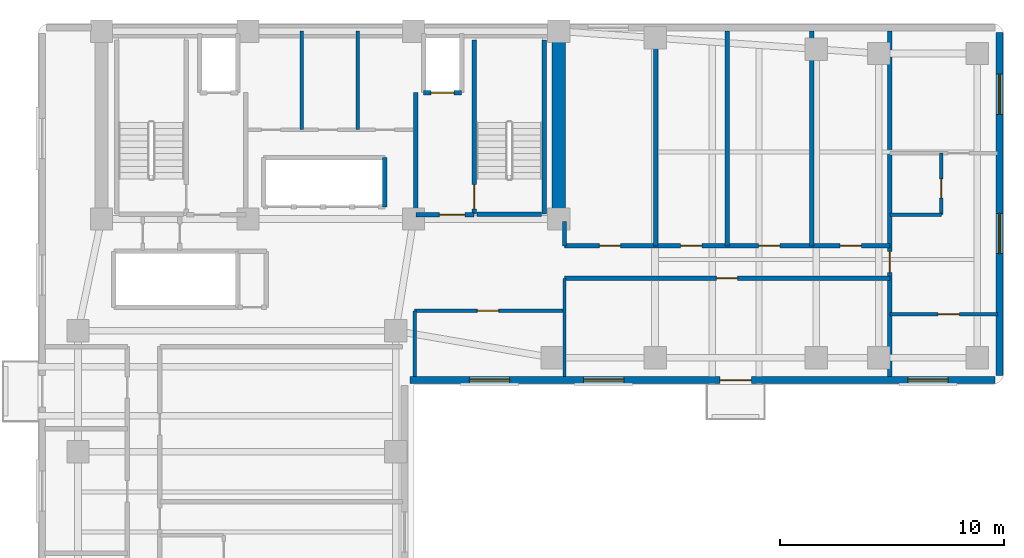
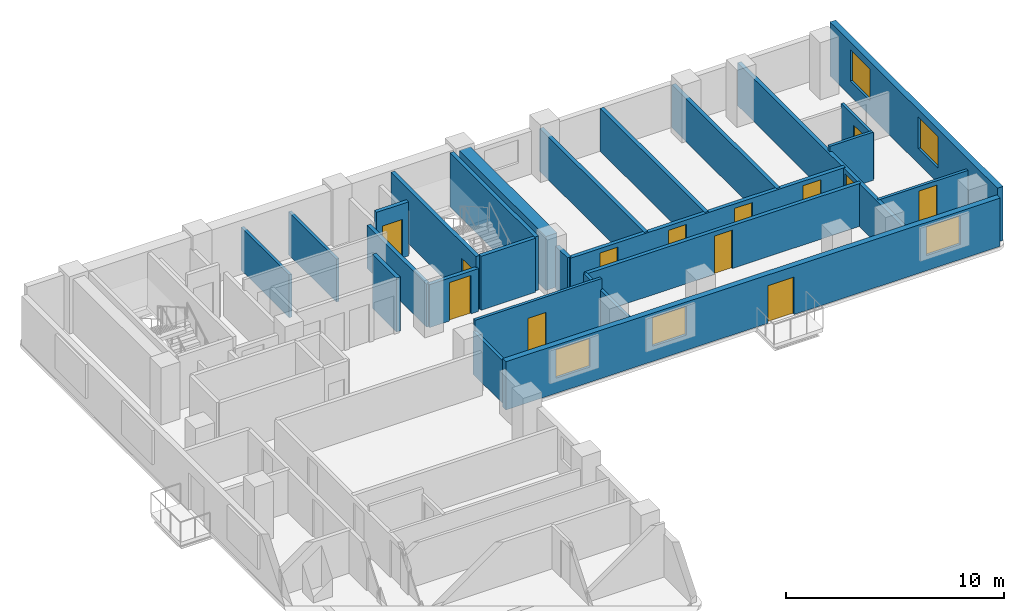
# One storey, part 4 of 7: 25 walls, 13 doors, 5 windows, 18 openings.
"""IFC4 building model written with IfcOpenShell, lengths in metres."""

from ifc_helpers import new_model, si_unit, direction, frame, frame_2d, origin, place, context, subcontext, project, spatial, rectangle, extrude, material, layer, layer_set, type_object, element, fill, save


model = new_model("IFC4")

# Units and contexts
model_context = context("Model", 3, precision=1e-05, world=origin(), true_north=direction((0.0, 1.0)))
body_context = subcontext(model_context, "Body", "Model", "MODEL_VIEW")
ifc_project = project(units=[si_unit("LENGTHUNIT", "METRE"), si_unit("AREAUNIT", "SQUARE_METRE"), si_unit("VOLUMEUNIT", "CUBIC_METRE"), si_unit("PLANEANGLEUNIT", "RADIAN"), si_unit("MASSUNIT", "GRAM", prefix="KILO")], contexts=[model_context])

# Site, building, storey
site_placement = place(None, origin())
site = spatial("IfcSite", under=ifc_project, at=site_placement, CompositionType="ELEMENT")
building_placement = place(site_placement, origin())
building = spatial("IfcBuilding", under=site, at=building_placement, Name="Kuzgunbayir Cultural Tower", CompositionType="ELEMENT")
storey_placement = place(building_placement, frame((0.0, 0.0, 113.800048828125)))
storey = spatial("IfcBuildingStorey", under=building, at=storey_placement, Name="L32", CompositionType="ELEMENT", Elevation=113.800048828125)

# Wall
ifc_material_1 = material(Name="Concrete C60/75", Category="concrete")
ifc_layer_1 = layer(ifc_material_1, 0.60009765625)
ifc_layer_set_1 = layer_set([ifc_layer_1], Name="Concrete C60/75")
wall_type_1 = type_object("IfcWallType", Name="WAL-CORE-600", PredefinedType="SHEAR", material=ifc_layer_set_1)
wall_1_placement = place(storey_placement, frame((26.89990234375, 33.800048828125, 0.0), z_axis=(0.0, 0.0, 1.0), x_axis=(0.0, 1.0, 0.0)))
element("IfcWall", 1, at=wall_1_placement, inside=storey, type_object=wall_type_1, Name="L32 T1 Core East Shear Wall", PredefinedType="SHEAR", context=body_context, shape_type="SweptSolid", body=[
    extrude(rectangle(XDim=7.949951171875, YDim=0.60009765625, at=frame_2d((3.97509765625, 0.0))), origin(), (0.0, 0.0, 1.0), 3.02001953125),
])

# Wall, openings, door, windows
ifc_material_2 = material(Name="Anatolian Cream Limestone", Category="masonry")
ifc_layer_2 = layer(ifc_material_2, 0.300048828125)
ifc_layer_set_2 = layer_set([ifc_layer_2], Name="Anatolian Cream Limestone")
wall_type_2 = type_object("IfcWallType", Name="WAL-EXT-STONE-300", PredefinedType="STANDARD", material=ifc_layer_set_2)
wall_2_placement = place(storey_placement, frame((20.25, 26.60009765625, 0.0), z_axis=(0.0, 0.0, 1.0), x_axis=(1.0, 0.0, 0.0)))
wall_2 = element("IfcWall", 2, at=wall_2_placement, inside=storey, type_object=wall_type_2, Name="L32 Wing B South Limestone Wall", PredefinedType="STANDARD", context=body_context, shape_type="SweptSolid", body=[
    extrude(rectangle(XDim=26.14990234375, YDim=0.300048828125, at=frame_2d((13.074951171875, 0.0))), origin(), (0.0, 0.0, 1.0), 2.699951171875),
])
opening_1_placement = place(wall_2_placement, frame((13.85009765625, 0.0, 0.0)))
opening_1 = element("IfcOpeningElement", 3, at=opening_1_placement, cuts=wall_2, Name="Opening BD-15", PredefinedType="OPENING", context=body_context, shape_type="SweptSolid", body=[
    extrude(rectangle(XDim=1.39990234375, YDim=2.10009765625, at=frame_2d((0.699951171875, 1.050048828125))), frame((0.0, 0.16015625, 0.0), z_axis=(0.0, -1.0, 0.0), x_axis=(1.0, 0.0, 0.0)), (0.0, 0.0, 1.0), 0.320068359375),
])
opening_2_placement = place(wall_2_placement, frame((2.64990234375, 0.0, 0.85009765625)))
opening_2 = element("IfcOpeningElement", 4, at=opening_2_placement, cuts=wall_2, Name="Opening WH-18", PredefinedType="OPENING", context=body_context, shape_type="SweptSolid", body=[
    extrude(rectangle(XDim=1.800048828125, YDim=1.60009765625, at=frame_2d((0.89990234375, 0.800048828125))), frame((0.0, 0.16015625, 0.0), z_axis=(0.0, -1.0, 0.0), x_axis=(1.0, 0.0, 0.0)), (0.0, 0.0, 1.0), 0.320068359375),
])
opening_3_placement = place(wall_2_placement, frame((7.75, 0.0, 0.85009765625)))
opening_3 = element("IfcOpeningElement", 5, at=opening_3_placement, cuts=wall_2, Name="Opening WH-18", PredefinedType="OPENING", context=body_context, shape_type="SweptSolid", body=[
    extrude(rectangle(XDim=1.800048828125, YDim=1.60009765625, at=frame_2d((0.89990234375, 0.800048828125))), frame((0.0, 0.16015625, 0.0), z_axis=(0.0, -1.0, 0.0), x_axis=(1.0, 0.0, 0.0)), (0.0, 0.0, 1.0), 0.320068359375),
])
opening_4_placement = place(wall_2_placement, frame((22.25, 0.0, 0.85009765625)))
opening_4 = element("IfcOpeningElement", 6, at=opening_4_placement, cuts=wall_2, Name="Opening WH-18", PredefinedType="OPENING", context=body_context, shape_type="SweptSolid", body=[
    extrude(rectangle(XDim=1.800048828125, YDim=1.60009765625, at=frame_2d((0.89990234375, 0.800048828125))), frame((0.0, 0.16015625, 0.0), z_axis=(0.0, -1.0, 0.0), x_axis=(1.0, 0.0, 0.0)), (0.0, 0.0, 1.0), 0.320068359375),
])
ifc_material_3 = material(Name="Thermally Broken Glazed Aluminium", Category="aluminium")
door_type_1 = type_object("IfcDoorType", Name="DR-BALCONY-150", OperationType="SLIDING_TO_RIGHT", PredefinedType="DOOR", material=ifc_material_3)
door_1_placement = place(opening_1_placement, origin())
door_1 = element("IfcDoor", 7, at=door_1_placement, inside=storey, type_object=door_type_1, Name="L32 South Balcony Sliding Door BAL-L32-WB2", OperationType="SLIDING_TO_RIGHT", OverallHeight=2.10009765625, OverallWidth=1.39990234375, PredefinedType="DOOR", context=body_context, shape_type="SweptSolid", body=[
    extrude(rectangle(XDim=1.39990234375, YDim=2.10009765625, at=frame_2d((0.699951171875, 1.050048828125))), frame((0.0, 0.02490234375, 0.0), z_axis=(0.0, -1.0, 0.0), x_axis=(1.0, 0.0, 0.0)), (0.0, 0.0, 1.0), 0.050048828125),
])
fill(opening_1, door_1)
ifc_material_4 = material(Name="Solar-Control Triple Glazing", Category="glass")
window_type = type_object("IfcWindowType", Name="WIN-HOTEL-18", PartitioningType="SINGLE_PANEL", PredefinedType="WINDOW", material=ifc_material_4)
window_1_placement = place(opening_2_placement, origin())
window_1 = element("IfcWindow", 8, at=window_1_placement, inside=storey, type_object=window_type, Name="L32 WBS Facade Window 1", OverallHeight=1.60009765625, OverallWidth=1.800048828125, PartitioningType="SINGLE_PANEL", PredefinedType="WINDOW", context=body_context, shape_type="SweptSolid", body=[
    extrude(rectangle(XDim=1.800048828125, YDim=1.60009765625, at=frame_2d((0.89990234375, 0.800048828125))), frame((0.0, 0.030029296875, 0.0), z_axis=(0.0, -1.0, 0.0), x_axis=(1.0, 0.0, 0.0)), (0.0, 0.0, 1.0), 0.06005859375),
])
fill(opening_2, window_1)
window_2_placement = place(opening_3_placement, origin())
window_2 = element("IfcWindow", 9, at=window_2_placement, inside=storey, type_object=window_type, Name="L32 WBS Facade Window 13", OverallHeight=1.60009765625, OverallWidth=1.800048828125, PartitioningType="SINGLE_PANEL", PredefinedType="WINDOW", context=body_context, shape_type="SweptSolid", body=[
    extrude(rectangle(XDim=1.800048828125, YDim=1.60009765625, at=frame_2d((0.89990234375, 0.800048828125))), frame((0.0, 0.030029296875, 0.0), z_axis=(0.0, -1.0, 0.0), x_axis=(1.0, 0.0, 0.0)), (0.0, 0.0, 1.0), 0.06005859375),
])
fill(opening_3, window_2)
window_3_placement = place(opening_4_placement, origin())
window_3 = element("IfcWindow", 10, at=window_3_placement, inside=storey, type_object=window_type, Name="L32 WBS Facade Window 14", OverallHeight=1.60009765625, OverallWidth=1.800048828125, PartitioningType="SINGLE_PANEL", PredefinedType="WINDOW", context=body_context, shape_type="SweptSolid", body=[
    extrude(rectangle(XDim=1.800048828125, YDim=1.60009765625, at=frame_2d((0.89990234375, 0.800048828125))), frame((0.0, 0.030029296875, 0.0), z_axis=(0.0, -1.0, 0.0), x_axis=(1.0, 0.0, 0.0)), (0.0, 0.0, 1.0), 0.06005859375),
])
fill(opening_4, window_3)

# Wall, openings, windows
wall_3_placement = place(storey_placement, frame((46.60009765625, 26.800048828125, 0.0), z_axis=(0.0, 0.0, 1.0), x_axis=(0.0, 1.0, 0.0)))
wall_3 = element("IfcWall", 11, at=wall_3_placement, inside=storey, type_object=wall_type_2, Name="L32 Wing B East Limestone Wall", PredefinedType="STANDARD", context=body_context, shape_type="SweptSolid", body=[
    extrude(rectangle(XDim=15.349853515625, YDim=0.300048828125, at=frame_2d((7.6748046875, 0.0))), origin(), (0.0, 0.0, 1.0), 3.02001953125),
])
opening_5_placement = place(wall_3_placement, frame((5.449951171875, 0.0, 0.85009765625)))
opening_5 = element("IfcOpeningElement", 12, at=opening_5_placement, cuts=wall_3, Name="Opening WH-18", PredefinedType="OPENING", context=body_context, shape_type="SweptSolid", body=[
    extrude(rectangle(XDim=1.800048828125, YDim=1.75, at=frame_2d((0.89990234375, 0.875))), frame((0.0, 0.16015625, 0.0), z_axis=(0.0, -1.0, 0.0), x_axis=(1.0, 0.0, 0.0)), (0.0, 0.0, 1.0), 0.320068359375),
])
opening_6_placement = place(wall_3_placement, frame((11.679931640625, 0.0, 0.85009765625)))
opening_6 = element("IfcOpeningElement", 13, at=opening_6_placement, cuts=wall_3, Name="Opening WH-18", PredefinedType="OPENING", context=body_context, shape_type="SweptSolid", body=[
    extrude(rectangle(XDim=1.800048828125, YDim=1.75, at=frame_2d((0.89990234375, 0.875))), frame((0.0, 0.16015625, 0.0), z_axis=(0.0, -1.0, 0.0), x_axis=(1.0, 0.0, 0.0)), (0.0, 0.0, 1.0), 0.320068359375),
])
window_4_placement = place(opening_5_placement, origin())
window_4 = element("IfcWindow", 14, at=window_4_placement, inside=storey, type_object=window_type, Name="L32 WBE Facade Window 6", OverallHeight=1.75, OverallWidth=1.800048828125, PartitioningType="SINGLE_PANEL", PredefinedType="WINDOW", context=body_context, shape_type="SweptSolid", body=[
    extrude(rectangle(XDim=1.800048828125, YDim=1.75, at=frame_2d((0.89990234375, 0.875))), frame((0.0, 0.030029296875, 0.0), z_axis=(0.0, -1.0, 0.0), x_axis=(1.0, 0.0, 0.0)), (0.0, 0.0, 1.0), 0.06005859375),
])
fill(opening_5, window_4)
window_5_placement = place(opening_6_placement, origin())
window_5 = element("IfcWindow", 15, at=window_5_placement, inside=storey, type_object=window_type, Name="L32 WBE Facade Window 7", OverallHeight=1.75, OverallWidth=1.800048828125, PartitioningType="SINGLE_PANEL", PredefinedType="WINDOW", context=body_context, shape_type="SweptSolid", body=[
    extrude(rectangle(XDim=1.800048828125, YDim=1.75, at=frame_2d((0.89990234375, 0.875))), frame((0.0, 0.030029296875, 0.0), z_axis=(0.0, -1.0, 0.0), x_axis=(1.0, 0.0, 0.0)), (0.0, 0.0, 1.0), 0.06005859375),
])
fill(opening_6, window_5)

# Walls
ifc_material_5 = material(Name="Acoustic Double-Stud Drywall", Category="gypsum")
ifc_layer_3 = layer(ifc_material_5, 0.14990234375)
ifc_layer_set_3 = layer_set([ifc_layer_3], Name="Acoustic Double-Stud Drywall")
wall_type_3 = type_object("IfcWallType", Name="WAL-PART-ACOUSTIC-150", PredefinedType="PARTITIONING", material=ifc_layer_set_3)
for number, where, z_axis, x_axis, name in (
    (16, (15.39990234375, 37.800048828125, 0.0), (0.0, 0.0, 1.0), (0.0, 1.0, 0.0), "L32 Core Pod Partition 1"),
    (17, (17.89990234375, 37.800048828125, 0.0), (0.0, 0.0, 1.0), (0.0, 1.0, 0.0), "L32 Core Pod Partition 2"),
):
    element("IfcWall", number, at=place(storey_placement, frame(where, z_axis=z_axis, x_axis=x_axis)), inside=storey, type_object=wall_type_3, Name=name, PredefinedType="PARTITIONING", context=body_context, shape_type="SweptSolid", body=[
        extrude(rectangle(XDim=4.39990234375, YDim=0.14990234375, at=frame_2d((2.199951171875, 0.0))), origin(), (0.0, 0.0, 1.0), 2.39990234375),
    ])

# Wall, opening, door
wall_4_placement = place(storey_placement, frame((20.449951171875, 29.699951171875, 0.0), z_axis=(0.0, 0.0, 1.0), x_axis=(1.0, 0.0, 0.0)))
wall_4 = element("IfcWall", 18, at=wall_4_placement, inside=storey, type_object=wall_type_3, Name="L32 Waist Alcove North Wall", PredefinedType="PARTITIONING", context=body_context, shape_type="SweptSolid", body=[
    extrude(rectangle(XDim=6.699951171875, YDim=0.14990234375, at=frame_2d((3.35009765625, 0.0))), origin(), (0.0, 0.0, 1.0), 3.02001953125),
])
opening_7_placement = place(wall_4_placement, frame((2.800048828125, 0.0, 0.0)))
opening_7 = element("IfcOpeningElement", 19, at=opening_7_placement, cuts=wall_4, Name="Opening DI-90", PredefinedType="OPENING", context=body_context, shape_type="SweptSolid", body=[
    extrude(rectangle(XDim=0.949951171875, YDim=2.14990234375, at=frame_2d((0.47509765625, 1.074951171875))), frame((0.0, 0.0849609375, 0.0), z_axis=(0.0, -1.0, 0.0), x_axis=(1.0, 0.0, 0.0)), (0.0, 0.0, 1.0), 0.169921875),
])
ifc_material_6 = material(Name="Veneered Oak Single Leaf", Category="wood")
door_type_2 = type_object("IfcDoorType", Name="DR-INT-90", OperationType="NOTDEFINED", PredefinedType="DOOR", material=ifc_material_6)
door_2_placement = place(opening_7_placement, origin())
door_2 = element("IfcDoor", 20, at=door_2_placement, inside=storey, type_object=door_type_2, Name="L32 Waist Alcove Door", OperationType="SINGLE_SWING_RIGHT", OverallHeight=2.14990234375, OverallWidth=0.949951171875, PredefinedType="DOOR", context=body_context, shape_type="SweptSolid", body=[
    extrude(rectangle(XDim=0.949951171875, YDim=2.14990234375, at=frame_2d((0.47509765625, 1.074951171875))), frame((0.0, 0.02490234375, 0.0), z_axis=(0.0, -1.0, 0.0), x_axis=(1.0, 0.0, 0.0)), (0.0, 0.0, 1.0), 0.050048828125),
])
fill(opening_7, door_2)

# Walls
wall_5_placement = place(storey_placement, frame((20.449951171875, 26.75, 0.0), z_axis=(0.0, 0.0, 1.0), x_axis=(0.0, 1.0, 0.0)))
element("IfcWall", 21, at=wall_5_placement, inside=storey, type_object=wall_type_3, Name="L32 Waist Alcove West Wall", PredefinedType="PARTITIONING", context=body_context, shape_type="SweptSolid", body=[
    extrude(rectangle(XDim=2.949951171875, YDim=0.14990234375, at=frame_2d((1.47509765625, 0.0))), origin(), (0.0, 0.0, 1.0), 2.39990234375),
])
wall_6_placement = place(storey_placement, frame((27.14990234375, 26.75, 0.0), z_axis=(0.0, 0.0, 1.0), x_axis=(0.0, 1.0, 0.0)))
element("IfcWall", 22, at=wall_6_placement, inside=storey, type_object=wall_type_3, Name="L32 Waist Alcove East Wall", PredefinedType="PARTITIONING", context=body_context, shape_type="SweptSolid", body=[
    extrude(rectangle(XDim=4.39990234375, YDim=0.14990234375, at=frame_2d((2.199951171875, 0.0))), origin(), (0.0, 0.0, 1.0), 2.39990234375),
])
ifc_material_7 = material(Name="Aerated Concrete Blockwork", Category="masonry")
ifc_layer_4 = layer(ifc_material_7, 0.199951171875)
ifc_layer_set_4 = layer_set([ifc_layer_4], Name="Aerated Concrete Blockwork")
wall_type_4 = type_object("IfcWallType", Name="WAL-PART-FIRE-200", PredefinedType="PARTITIONING", material=ifc_layer_set_4)
wall_7_placement = place(storey_placement, frame((20.5, 34.0, 0.0), z_axis=(0.0, 0.0, 1.0), x_axis=(0.0, 1.0, 0.0)))
element("IfcWall", 23, at=wall_7_placement, inside=storey, type_object=wall_type_4, Name="L32 FFL-2 Lobby West Fire Wall", PredefinedType="PARTITIONING", context=body_context, shape_type="SweptSolid", body=[
    extrude(rectangle(XDim=5.449951171875, YDim=0.199951171875, at=frame_2d((2.72509765625, 0.0))), origin(), (0.0, 0.0, 1.0), 2.39990234375),
])

# Wall, opening, door
wall_8_placement = place(storey_placement, frame((20.5, 34.0, 0.0), z_axis=(0.0, 0.0, 1.0), x_axis=(1.0, 0.0, 0.0)))
wall_8 = element("IfcWall", 24, at=wall_8_placement, inside=storey, type_object=wall_type_4, Name="L32 FFL-2 Lobby South Fire Wall", PredefinedType="PARTITIONING", context=body_context, shape_type="SweptSolid", body=[
    extrude(rectangle(XDim=2.60009765625, YDim=0.199951171875, at=frame_2d((1.300048828125, 0.0))), origin(), (0.0, 0.0, 1.0), 2.39990234375),
])
opening_8_placement = place(wall_8_placement, frame((1.050048828125, 0.0, 0.0)))
opening_8 = element("IfcOpeningElement", 25, at=opening_8_placement, cuts=wall_8, Name="Opening DR-FFL-90", PredefinedType="OPENING", context=body_context, shape_type="SweptSolid", body=[
    extrude(rectangle(XDim=1.14990234375, YDim=2.14990234375, at=frame_2d((0.574951171875, 1.074951171875))), frame((0.0, 0.10986328125, 0.0), z_axis=(0.0, -1.0, 0.0), x_axis=(1.0, 0.0, 0.0)), (0.0, 0.0, 1.0), 0.219970703125),
])
ifc_material_8 = material(Name="Steel S355J2", Category="steel")
door_type_3 = type_object("IfcDoorType", Name="DR-FFL-90", OperationType="NOTDEFINED", PredefinedType="DOOR", material=ifc_material_8)
door_3_placement = place(opening_8_placement, origin())
door_3 = element("IfcDoor", 26, at=door_3_placement, inside=storey, type_object=door_type_3, Name="L32 Firefighting Lobby 2 Door", OperationType="SINGLE_SWING_RIGHT", OverallHeight=2.14990234375, OverallWidth=1.14990234375, PredefinedType="DOOR", context=body_context, shape_type="SweptSolid", body=[
    extrude(rectangle(XDim=1.14990234375, YDim=2.14990234375, at=frame_2d((0.574951171875, 1.074951171875))), frame((0.0, 0.02490234375, 0.0), z_axis=(0.0, -1.0, 0.0), x_axis=(1.0, 0.0, 0.0)), (0.0, 0.0, 1.0), 0.050048828125),
])
fill(opening_8, door_3)

wall_9_placement = place(storey_placement, frame((27.14990234375, 31.14990234375, 0.0), z_axis=(0.0, 0.0, 1.0), x_axis=(1.0, 0.0, 0.0)))
wall_9 = element("IfcWall", 27, at=wall_9_placement, inside=storey, type_object=wall_type_4, Name="L32 Wing B Hotel Corridor South Wall", PredefinedType="PARTITIONING", context=body_context, shape_type="SweptSolid", body=[
    extrude(rectangle(XDim=14.550048828125, YDim=0.199951171875, at=frame_2d((7.27490234375, 0.0))), origin(), (0.0, 0.0, 1.0), 2.39990234375),
])
opening_9_placement = place(wall_9_placement, frame((6.7900390625, 0.0, 0.0)))
opening_9 = element("IfcOpeningElement", 28, at=opening_9_placement, cuts=wall_9, Name="Opening DI-90", PredefinedType="OPENING", context=body_context, shape_type="SweptSolid", body=[
    extrude(rectangle(XDim=0.949951171875, YDim=2.14990234375, at=frame_2d((0.47509765625, 1.074951171875))), frame((0.0, 0.10986328125, 0.0), z_axis=(0.0, -1.0, 0.0), x_axis=(1.0, 0.0, 0.0)), (0.0, 0.0, 1.0), 0.219970703125),
])
door_4_placement = place(opening_9_placement, origin())
door_4 = element("IfcDoor", 29, at=door_4_placement, inside=storey, type_object=door_type_2, Name="L32 Wellness Consultation Studio B1 Door", OperationType="SINGLE_SWING_LEFT", OverallHeight=2.14990234375, OverallWidth=0.949951171875, PredefinedType="DOOR", context=body_context, shape_type="SweptSolid", body=[
    extrude(rectangle(XDim=0.949951171875, YDim=2.14990234375, at=frame_2d((0.47509765625, 1.074951171875))), frame((0.0, 0.02490234375, 0.0), z_axis=(0.0, -1.0, 0.0), x_axis=(1.0, 0.0, 0.0)), (0.0, 0.0, 1.0), 0.050048828125),
])
fill(opening_9, door_4)

# Wall, openings, doors
wall_10_placement = place(storey_placement, frame((27.14990234375, 32.60009765625, 0.0), z_axis=(0.0, 0.0, 1.0), x_axis=(1.0, 0.0, 0.0)))
wall_10 = element("IfcWall", 30, at=wall_10_placement, inside=storey, type_object=wall_type_4, Name="L32 Wing B Hotel Corridor North Wall", PredefinedType="PARTITIONING", context=body_context, shape_type="SweptSolid", body=[
    extrude(rectangle(XDim=14.550048828125, YDim=0.199951171875, at=frame_2d((7.27490234375, 0.0))), origin(), (0.0, 0.0, 1.0), 2.39990234375),
])
opening_10_placement = place(wall_10_placement, frame((1.56005859375, 0.0, 0.0)))
opening_10 = element("IfcOpeningElement", 31, at=opening_10_placement, cuts=wall_10, Name="Opening DI-90", PredefinedType="OPENING", context=body_context, shape_type="SweptSolid", body=[
    extrude(rectangle(XDim=0.949951171875, YDim=2.14990234375, at=frame_2d((0.47509765625, 1.074951171875))), frame((0.0, 0.10986328125, 0.0), z_axis=(0.0, -1.0, 0.0), x_axis=(1.0, 0.0, 0.0)), (0.0, 0.0, 1.0), 0.219970703125),
])
opening_11_placement = place(wall_10_placement, frame((5.18994140625, 0.0, 0.0)))
opening_11 = element("IfcOpeningElement", 32, at=opening_11_placement, cuts=wall_10, Name="Opening DI-90", PredefinedType="OPENING", context=body_context, shape_type="SweptSolid", body=[
    extrude(rectangle(XDim=0.949951171875, YDim=2.14990234375, at=frame_2d((0.47509765625, 1.074951171875))), frame((0.0, 0.10986328125, 0.0), z_axis=(0.0, -1.0, 0.0), x_axis=(1.0, 0.0, 0.0)), (0.0, 0.0, 1.0), 0.219970703125),
])
opening_12_placement = place(wall_10_placement, frame((8.679931640625, 0.0, 0.0)))
opening_12 = element("IfcOpeningElement", 33, at=opening_12_placement, cuts=wall_10, Name="Opening DI-90", PredefinedType="OPENING", context=body_context, shape_type="SweptSolid", body=[
    extrude(rectangle(XDim=0.949951171875, YDim=2.14990234375, at=frame_2d((0.47509765625, 1.074951171875))), frame((0.0, 0.10986328125, 0.0), z_axis=(0.0, -1.0, 0.0), x_axis=(1.0, 0.0, 0.0)), (0.0, 0.0, 1.0), 0.219970703125),
])
opening_13_placement = place(wall_10_placement, frame((12.320068359375, 0.0, 0.0)))
opening_13 = element("IfcOpeningElement", 34, at=opening_13_placement, cuts=wall_10, Name="Opening DI-90", PredefinedType="OPENING", context=body_context, shape_type="SweptSolid", body=[
    extrude(rectangle(XDim=0.949951171875, YDim=2.14990234375, at=frame_2d((0.47509765625, 1.074951171875))), frame((0.0, 0.10986328125, 0.0), z_axis=(0.0, -1.0, 0.0), x_axis=(1.0, 0.0, 0.0)), (0.0, 0.0, 1.0), 0.219970703125),
])
door_5_placement = place(opening_10_placement, origin())
door_5 = element("IfcDoor", 35, at=door_5_placement, inside=storey, type_object=door_type_2, Name="L32 North Wellness Consultation Studio 1 Door", OperationType="SINGLE_SWING_RIGHT", OverallHeight=2.14990234375, OverallWidth=0.949951171875, PredefinedType="DOOR", context=body_context, shape_type="SweptSolid", body=[
    extrude(rectangle(XDim=0.949951171875, YDim=2.14990234375, at=frame_2d((0.47509765625, 1.074951171875))), frame((0.0, 0.02490234375, 0.0), z_axis=(0.0, -1.0, 0.0), x_axis=(1.0, 0.0, 0.0)), (0.0, 0.0, 1.0), 0.050048828125),
])
fill(opening_10, door_5)
door_6_placement = place(opening_11_placement, origin())
door_6 = element("IfcDoor", 36, at=door_6_placement, inside=storey, type_object=door_type_2, Name="L32 North Fellows Reading Lounge 2 Door", OperationType="SINGLE_SWING_LEFT", OverallHeight=2.14990234375, OverallWidth=0.949951171875, PredefinedType="DOOR", context=body_context, shape_type="SweptSolid", body=[
    extrude(rectangle(XDim=0.949951171875, YDim=2.14990234375, at=frame_2d((0.47509765625, 1.074951171875))), frame((0.0, 0.02490234375, 0.0), z_axis=(0.0, -1.0, 0.0), x_axis=(1.0, 0.0, 0.0)), (0.0, 0.0, 1.0), 0.050048828125),
])
fill(opening_11, door_6)
door_7_placement = place(opening_12_placement, origin())
door_7 = element("IfcDoor", 37, at=door_7_placement, inside=storey, type_object=door_type_2, Name="L32 North Curatorial Office 3 Door", OperationType="SINGLE_SWING_RIGHT", OverallHeight=2.14990234375, OverallWidth=0.949951171875, PredefinedType="DOOR", context=body_context, shape_type="SweptSolid", body=[
    extrude(rectangle(XDim=0.949951171875, YDim=2.14990234375, at=frame_2d((0.47509765625, 1.074951171875))), frame((0.0, 0.02490234375, 0.0), z_axis=(0.0, -1.0, 0.0), x_axis=(1.0, 0.0, 0.0)), (0.0, 0.0, 1.0), 0.050048828125),
])
fill(opening_12, door_7)
door_8_placement = place(opening_13_placement, origin())
door_8 = element("IfcDoor", 38, at=door_8_placement, inside=storey, type_object=door_type_2, Name="L32 North Seminar Boardroom 4 Door", OperationType="SINGLE_SWING_LEFT", OverallHeight=2.14990234375, OverallWidth=0.949951171875, PredefinedType="DOOR", context=body_context, shape_type="SweptSolid", body=[
    extrude(rectangle(XDim=0.949951171875, YDim=2.14990234375, at=frame_2d((0.47509765625, 1.074951171875))), frame((0.0, 0.02490234375, 0.0), z_axis=(0.0, -1.0, 0.0), x_axis=(1.0, 0.0, 0.0)), (0.0, 0.0, 1.0), 0.050048828125),
])
fill(opening_13, door_8)

# Wall
wall_11_placement = place(storey_placement, frame((27.14990234375, 32.60009765625, 0.0), z_axis=(0.0, 0.0, 1.0), x_axis=(0.0, 1.0, 0.0)))
element("IfcWall", 39, at=wall_11_placement, inside=storey, type_object=wall_type_4, Name="L32 Wing B North Core Closure Wall", PredefinedType="PARTITIONING", context=body_context, shape_type="SweptSolid", body=[
    extrude(rectangle(XDim=1.079833984375, YDim=0.199951171875, at=frame_2d((0.5400390625, 0.0))), origin(), (0.0, 0.0, 1.0), 2.39990234375),
])

# Wall, opening, door
wall_12_placement = place(storey_placement, frame((41.699951171875, 26.75, 0.0), z_axis=(0.0, 0.0, 1.0), x_axis=(0.0, 1.0, 0.0)))
wall_12 = element("IfcWall", 40, at=wall_12_placement, inside=storey, type_object=wall_type_4, Name="L32 Wing B East Suite Wall", PredefinedType="PARTITIONING", context=body_context, shape_type="SweptSolid", body=[
    extrude(rectangle(XDim=15.449951171875, YDim=0.199951171875, at=frame_2d((7.72509765625, 0.0))), origin(), (0.0, 0.0, 1.0), 2.39990234375),
])
opening_14_placement = place(wall_12_placement, frame((4.64990234375, 0.0, 0.0)))
opening_14 = element("IfcOpeningElement", 41, at=opening_14_placement, cuts=wall_12, Name="Opening DR-APT-60", PredefinedType="OPENING", context=body_context, shape_type="SweptSolid", body=[
    extrude(rectangle(XDim=0.949951171875, YDim=2.14990234375, at=frame_2d((0.47509765625, 1.074951171875))), frame((0.0, 0.10986328125, 0.0), z_axis=(0.0, -1.0, 0.0), x_axis=(1.0, 0.0, 0.0)), (0.0, 0.0, 1.0), 0.219970703125),
])
ifc_material_9 = material(Name="Acoustic Fire Timber Leaf", Category="wood")
door_type_4 = type_object("IfcDoorType", Name="DR-APT-60", OperationType="NOTDEFINED", PredefinedType="DOOR", material=ifc_material_9)
door_9_placement = place(opening_14_placement, origin())
door_9 = element("IfcDoor", 42, at=door_9_placement, inside=storey, type_object=door_type_4, Name="L32 Corner Suite Entrance", OperationType="SINGLE_SWING_LEFT", OverallHeight=2.14990234375, OverallWidth=0.949951171875, PredefinedType="DOOR", context=body_context, shape_type="SweptSolid", body=[
    extrude(rectangle(XDim=0.949951171875, YDim=2.14990234375, at=frame_2d((0.47509765625, 1.074951171875))), frame((0.0, 0.02490234375, 0.0), z_axis=(0.0, -1.0, 0.0), x_axis=(1.0, 0.0, 0.0)), (0.0, 0.0, 1.0), 0.050048828125),
])
fill(opening_14, door_9)

# Walls
for number, where, z_axis, x_axis, name in (
    (43, (31.219970703125, 32.60009765625, 0.0), (0.0, 0.0, 1.0), (0.0, 1.0, 0.0), "L32 Wing B North Party Wall 1"),
    (44, (34.419921875, 32.60009765625, 0.0), (0.0, 0.0, 1.0), (0.0, 1.0, 0.0), "L32 Wing B North Party Wall 2"),
    (45, (38.2099609375, 32.60009765625, 0.0), (0.0, 0.0, 1.0), (0.0, 1.0, 0.0), "L32 Wing B North Party Wall 3"),
):
    element("IfcWall", number, at=place(storey_placement, frame(where, z_axis=z_axis, x_axis=x_axis)), inside=storey, type_object=wall_type_4, Name=name, PredefinedType="PARTITIONING", context=body_context, shape_type="SweptSolid", body=[
        extrude(rectangle(XDim=9.599853515625, YDim=0.199951171875, at=frame_2d((4.7998046875, 0.0))), origin(), (0.0, 0.0, 1.0), 2.39990234375),
    ])

# Wall, opening, door
ifc_material_10 = material(Name="Moisture-Resistant Tile Partition", Category="gypsum")
ifc_layer_5 = layer(ifc_material_10, 0.14990234375)
ifc_layer_set_5 = layer_set([ifc_layer_5], Name="Moisture-Resistant Tile Partition")
wall_type_5 = type_object("IfcWallType", Name="WAL-PART-WET-150", PredefinedType="PARTITIONING", material=ifc_layer_set_5)
wall_13_placement = place(storey_placement, frame((41.699951171875, 29.550048828125, 0.0), z_axis=(0.0, 0.0, 1.0), x_axis=(1.0, 0.0, 0.0)))
wall_13 = element("IfcWall", 46, at=wall_13_placement, inside=storey, type_object=wall_type_5, Name="L32 Corner Suite Kitchen Wall", PredefinedType="PARTITIONING", context=body_context, shape_type="SweptSolid", body=[
    extrude(rectangle(XDim=4.800048828125, YDim=0.14990234375, at=frame_2d((2.39990234375, 0.0))), origin(), (0.0, 0.0, 1.0), 2.39990234375),
])
opening_15_placement = place(wall_13_placement, frame((2.159912109375, 0.0, 0.0)))
opening_15 = element("IfcOpeningElement", 47, at=opening_15_placement, cuts=wall_13, Name="Opening DI-90", PredefinedType="OPENING", context=body_context, shape_type="SweptSolid", body=[
    extrude(rectangle(XDim=0.949951171875, YDim=2.14990234375, at=frame_2d((0.47509765625, 1.074951171875))), frame((0.0, 0.0849609375, 0.0), z_axis=(0.0, -1.0, 0.0), x_axis=(1.0, 0.0, 0.0)), (0.0, 0.0, 1.0), 0.169921875),
])
door_10_placement = place(opening_15_placement, origin())
door_10 = element("IfcDoor", 48, at=door_10_placement, inside=storey, type_object=door_type_2, Name="L32 Corner Suite Kitchen Door", OperationType="SINGLE_SWING_RIGHT", OverallHeight=2.14990234375, OverallWidth=0.949951171875, PredefinedType="DOOR", context=body_context, shape_type="SweptSolid", body=[
    extrude(rectangle(XDim=0.949951171875, YDim=2.14990234375, at=frame_2d((0.47509765625, 1.074951171875))), frame((0.0, 0.02490234375, 0.0), z_axis=(0.0, -1.0, 0.0), x_axis=(1.0, 0.0, 0.0)), (0.0, 0.0, 1.0), 0.050048828125),
])
fill(opening_15, door_10)

# Wall
wall_14_placement = place(storey_placement, frame((41.699951171875, 34.0, 0.0), z_axis=(0.0, 0.0, 1.0), x_axis=(1.0, 0.0, 0.0)))
element("IfcWall", 49, at=wall_14_placement, inside=storey, type_object=wall_type_5, Name="L32 Corner Suite Bath South Wall", PredefinedType="PARTITIONING", context=body_context, shape_type="SweptSolid", body=[
    extrude(rectangle(XDim=2.300048828125, YDim=0.14990234375, at=frame_2d((1.14990234375, 0.0))), origin(), (0.0, 0.0, 1.0), 2.699951171875),
])

# Wall, opening, door
wall_15_placement = place(storey_placement, frame((44.0, 34.0, 0.0), z_axis=(0.0, 0.0, 1.0), x_axis=(0.0, 1.0, 0.0)))
wall_15 = element("IfcWall", 50, at=wall_15_placement, inside=storey, type_object=wall_type_5, Name="L32 Corner Suite Bath East Wall", PredefinedType="PARTITIONING", context=body_context, shape_type="SweptSolid", body=[
    extrude(rectangle(XDim=2.75, YDim=0.14990234375, at=frame_2d((1.375, 0.0))), origin(), (0.0, 0.0, 1.0), 2.60986328125),
])
opening_16_placement = place(wall_15_placement, frame((0.75, 0.0, 0.0)))
opening_16 = element("IfcOpeningElement", 51, at=opening_16_placement, cuts=wall_15, Name="Opening DW-85", PredefinedType="OPENING", context=body_context, shape_type="SweptSolid", body=[
    extrude(rectangle(XDim=0.85009765625, YDim=2.10009765625, at=frame_2d((0.425048828125, 1.050048828125))), frame((0.0, 0.0849609375, 0.0), z_axis=(0.0, -1.0, 0.0), x_axis=(1.0, 0.0, 0.0)), (0.0, 0.0, 1.0), 0.169921875),
])
ifc_material_11 = material(Name="Laminate Moisture-Resistant Leaf", Category="wood")
door_type_5 = type_object("IfcDoorType", Name="DR-WET-85", OperationType="NOTDEFINED", PredefinedType="DOOR", material=ifc_material_11)
door_11_placement = place(opening_16_placement, origin())
door_11 = element("IfcDoor", 52, at=door_11_placement, inside=storey, type_object=door_type_5, Name="L32 Corner Suite Bathroom Door", OperationType="SINGLE_SWING_LEFT", OverallHeight=2.10009765625, OverallWidth=0.85009765625, PredefinedType="DOOR", context=body_context, shape_type="SweptSolid", body=[
    extrude(rectangle(XDim=0.85009765625, YDim=2.10009765625, at=frame_2d((0.425048828125, 1.050048828125))), frame((0.0, 0.02490234375, 0.0), z_axis=(0.0, -1.0, 0.0), x_axis=(1.0, 0.0, 0.0)), (0.0, 0.0, 1.0), 0.050048828125),
])
fill(opening_16, door_11)

ifc_material_12 = material(Name="Concrete C40/50", Category="concrete")
ifc_layer_6 = layer(ifc_material_12, 0.199951171875)
ifc_layer_set_6 = layer_set([ifc_layer_6], Name="Concrete C40/50")
wall_type_6 = type_object("IfcWallType", Name="WAL-SHAFT-200", PredefinedType="MOVABLE", material=ifc_layer_set_6)
wall_16_placement = place(storey_placement, frame((20.85009765625, 39.449951171875, 0.0), z_axis=(0.0, 0.0, 1.0), x_axis=(1.0, 0.0, 0.0)))
wall_16 = element("IfcWall", 53, at=wall_16_placement, inside=storey, type_object=wall_type_6, Name="L32 FFL-2 Lift Front Wall", PredefinedType="MOVABLE", context=body_context, shape_type="SweptSolid", body=[
    extrude(rectangle(XDim=1.699951171875, YDim=0.199951171875, at=frame_2d((0.85009765625, 0.0))), origin(), (0.0, 0.0, 1.0), 3.02001953125),
])
opening_17_placement = place(wall_16_placement, frame((0.320068359375, 0.0, 0.0)))
opening_17 = element("IfcOpeningElement", 54, at=opening_17_placement, cuts=wall_16, Name="Opening LD", PredefinedType="OPENING", context=body_context, shape_type="SweptSolid", body=[
    extrude(rectangle(XDim=1.050048828125, YDim=2.14990234375, at=frame_2d((0.52490234375, 1.074951171875))), frame((0.0, 0.10986328125, 0.0), z_axis=(0.0, -1.0, 0.0), x_axis=(1.0, 0.0, 0.0)), (0.0, 0.0, 1.0), 0.219970703125),
])
ifc_material_13 = material(Name="Brushed Stainless Steel", Category="steel")
door_type_6 = type_object("IfcDoorType", Name="DR-LIFT-LANDING", OperationType="SLIDING_TO_LEFT", PredefinedType="DOOR", material=ifc_material_13)
door_12_placement = place(opening_17_placement, origin())
door_12 = element("IfcDoor", 55, at=door_12_placement, inside=storey, type_object=door_type_6, Name="L32 Lift FFL-2 Landing Door", OperationType="SLIDING_TO_LEFT", OverallHeight=2.14990234375, OverallWidth=1.050048828125, PredefinedType="DOOR", context=body_context, shape_type="SweptSolid", body=[
    extrude(rectangle(XDim=1.050048828125, YDim=2.14990234375, at=frame_2d((0.52490234375, 1.074951171875))), frame((0.0, 0.02490234375, 0.0), z_axis=(0.0, -1.0, 0.0), x_axis=(1.0, 0.0, 0.0)), (0.0, 0.0, 1.0), 0.050048828125),
])
fill(opening_17, door_12)

# Wall
wall_17_placement = place(storey_placement, frame((19.1201171875, 34.35009765625, 0.0), z_axis=(0.0, 0.0, 1.0), x_axis=(0.0, 1.0, 0.0)))
element("IfcWall", 56, at=wall_17_placement, inside=storey, type_object=wall_type_6, Name="L32 Mid-Rise Lift Shaft East Wall", PredefinedType="MOVABLE", context=body_context, shape_type="SweptSolid", body=[
    extrude(rectangle(XDim=2.199951171875, YDim=0.199951171875, at=frame_2d((1.10009765625, 0.0))), origin(), (0.0, 0.0, 1.0), 3.02001953125),
])

# Wall, opening, door
ifc_layer_7 = layer(ifc_material_12, 0.199951171875)
ifc_layer_set_7 = layer_set([ifc_layer_7], Name="Concrete C40/50")
wall_type_7 = type_object("IfcWallType", Name="WAL-STAIR-RC-200", PredefinedType="SHEAR", material=ifc_layer_set_7)
wall_18_placement = place(storey_placement, frame((23.1201171875, 34.02001953125, 0.0), z_axis=(0.0, 0.0, 1.0), x_axis=(0.0, 1.0, 0.0)))
wall_18 = element("IfcWall", 57, at=wall_18_placement, inside=storey, type_object=wall_type_7, Name="L32 Stair ST-2 West Structural Wall", PredefinedType="SHEAR", context=body_context, shape_type="SweptSolid", body=[
    extrude(rectangle(XDim=7.780029296875, YDim=0.199951171875, at=frame_2d((3.89013671875, 0.0))), origin(), (0.0, 0.0, 1.0), 3.02001953125),
])
opening_18_placement = place(wall_18_placement, frame((0.219970703125, 0.0, 0.0)))
opening_18 = element("IfcOpeningElement", 58, at=opening_18_placement, cuts=wall_18, Name="Opening DR-STAIR-90", PredefinedType="OPENING", context=body_context, shape_type="SweptSolid", body=[
    extrude(rectangle(XDim=1.10009765625, YDim=2.14990234375, at=frame_2d((0.550048828125, 1.074951171875))), frame((0.0, 0.10986328125, 0.0), z_axis=(0.0, -1.0, 0.0), x_axis=(1.0, 0.0, 0.0)), (0.0, 0.0, 1.0), 0.219970703125),
])
door_type_7 = type_object("IfcDoorType", Name="DR-STAIR-90", OperationType="NOTDEFINED", PredefinedType="DOOR", material=ifc_material_8)
door_13_placement = place(opening_18_placement, origin())
door_13 = element("IfcDoor", 59, at=door_13_placement, inside=storey, type_object=door_type_7, Name="L32 Stair ST-2 Fire Door", OperationType="SINGLE_SWING_RIGHT", OverallHeight=2.14990234375, OverallWidth=1.10009765625, PredefinedType="DOOR", context=body_context, shape_type="SweptSolid", body=[
    extrude(rectangle(XDim=1.10009765625, YDim=2.14990234375, at=frame_2d((0.550048828125, 1.074951171875))), frame((0.0, 0.02490234375, 0.0), z_axis=(0.0, -1.0, 0.0), x_axis=(1.0, 0.0, 0.0)), (0.0, 0.0, 1.0), 0.050048828125),
])
fill(opening_18, door_13)

# Walls
wall_19_placement = place(storey_placement, frame((26.239990234375, 34.02001953125, 0.0), z_axis=(0.0, 0.0, 1.0), x_axis=(0.0, 1.0, 0.0)))
element("IfcWall", 60, at=wall_19_placement, inside=storey, type_object=wall_type_7, Name="L32 Stair ST-2 East Structural Wall", PredefinedType="SHEAR", context=body_context, shape_type="SweptSolid", body=[
    extrude(rectangle(XDim=7.780029296875, YDim=0.199951171875, at=frame_2d((3.89013671875, 0.0))), origin(), (0.0, 0.0, 1.0), 3.02001953125),
])
wall_20_placement = place(storey_placement, frame((23.239990234375, 34.02001953125, 0.0), z_axis=(0.0, 0.0, 1.0), x_axis=(1.0, 0.0, 0.0)))
element("IfcWall", 61, at=wall_20_placement, inside=storey, type_object=wall_type_7, Name="L32 Stair ST-2 South Structural Wall", PredefinedType="SHEAR", context=body_context, shape_type="SweptSolid", body=[
    extrude(rectangle(XDim=2.880126953125, YDim=0.199951171875, at=frame_2d((1.43994140625, 0.0))), origin(), (0.0, 0.0, 1.0), 3.02001953125),
])

save(model, "model.ifc")
